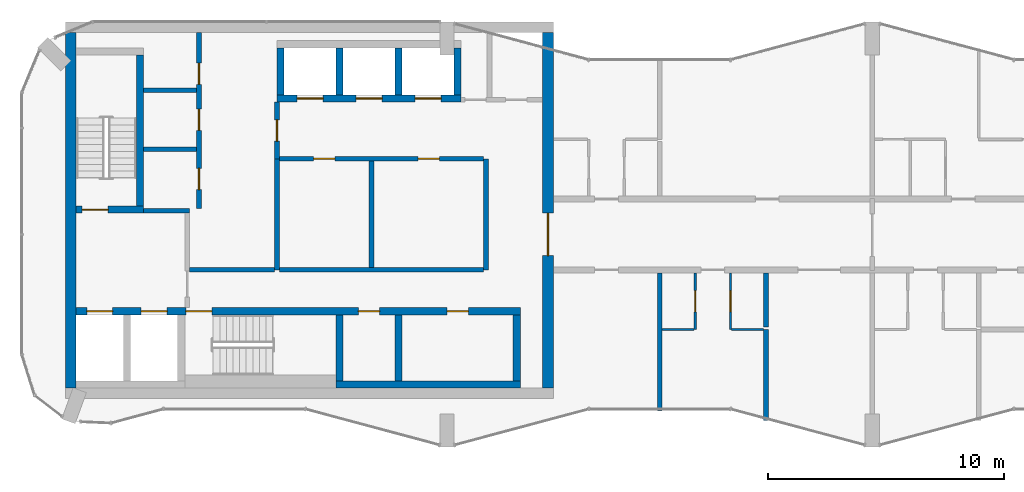
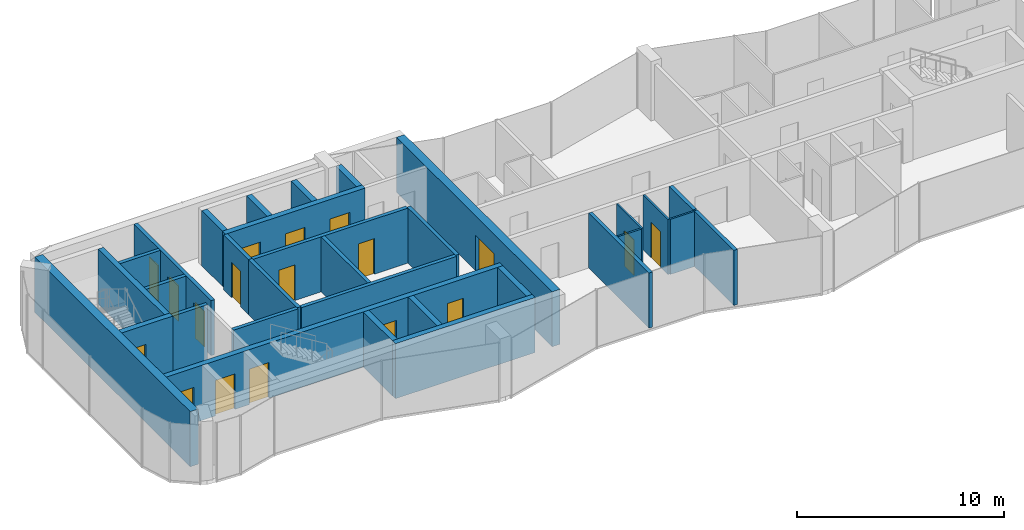
# One storey, part 7 of 10: 32 walls, 18 doors, 18 openings.
"""IFC4 building model written with IfcOpenShell, lengths in metres."""

from ifc_helpers import new_model, si_unit, direction, frame, frame_2d, origin, place, context, subcontext, project, spatial, rectangle, extrude, material, layer, layer_set, type_object, element, fill, save


model = new_model("IFC4")

# Units and contexts
model_context = context("Model", 3, precision=1e-05, world=origin(), true_north=direction((0.0, 1.0)))
body_context = subcontext(model_context, "Body", "Model", "MODEL_VIEW")
ifc_project = project(units=[si_unit("LENGTHUNIT", "METRE"), si_unit("AREAUNIT", "SQUARE_METRE"), si_unit("VOLUMEUNIT", "CUBIC_METRE"), si_unit("PLANEANGLEUNIT", "RADIAN"), si_unit("MASSUNIT", "GRAM", prefix="KILO")], contexts=[model_context])

# Site, building, storey
site_placement = place(None, origin())
site = spatial("IfcSite", under=ifc_project, at=site_placement, CompositionType="ELEMENT")
building_placement = place(site_placement, origin())
building = spatial("IfcBuilding", under=site, at=building_placement, Name="Plateau Cross Towers", CompositionType="ELEMENT")
storey_placement = place(building_placement, frame((0.0, 0.0, 266.89990234375)))
storey = spatial("IfcBuildingStorey", under=building, at=storey_placement, Name="L70", CompositionType="ELEMENT", Elevation=266.89990234375)

# Walls
ifc_material_1 = material(Name="Concrete block, plastered both sides", Category="concrete")
ifc_layer_1 = layer(ifc_material_1, 0.199951171875)
ifc_layer_set_1 = layer_set([ifc_layer_1], Name="Concrete block, plastered both sides")
wall_type_1 = type_object("IfcWallType", Name="Core partition 200", PredefinedType="PARTITIONING", material=ifc_layer_set_1)
wall_1_placement = place(storey_placement, frame((5.14990234375, 10.0, 0.0), z_axis=(0.0, 0.0, 1.0), x_axis=(1.0, 0.0, 0.0)))
element("IfcWall", 1, at=wall_1_placement, inside=storey, type_object=wall_type_1, Name="Core partition", PredefinedType="PARTITIONING", context=body_context, shape_type="SweptSolid", body=[
    extrude(rectangle(XDim=1.9501953125, YDim=0.199951171875, at=frame_2d((0.97509765625, 0.0))), origin(), (0.0, 0.0, 1.0), 3.25),
])
wall_2_placement = place(storey_placement, frame((7.10009765625, 7.5, 0.0), z_axis=(0.0, 0.0, 1.0), x_axis=(1.0, 0.0, 0.0)))
element("IfcWall", 2, at=wall_2_placement, inside=storey, type_object=wall_type_1, Name="Core partition", PredefinedType="PARTITIONING", context=body_context, shape_type="SweptSolid", body=[
    extrude(rectangle(XDim=3.599853515625, YDim=0.199951171875, at=frame_2d((1.7998046875, 0.0))), origin(), (0.0, 0.0, 1.0), 3.25),
])

# Wall, opening, door
wall_3_placement = place(storey_placement, frame((10.800048828125, 12.199951171875, 0.0), z_axis=(0.0, 0.0, 1.0), x_axis=(0.0, 1.0, 0.0)))
wall_3 = element("IfcWall", 3, at=wall_3_placement, inside=storey, type_object=wall_type_1, Name="Core partition", PredefinedType="PARTITIONING", context=body_context, shape_type="SweptSolid", body=[
    extrude(rectangle(XDim=2.400146484375, YDim=0.199951171875, at=frame_2d((1.2001953125, 0.0))), origin(), (0.0, 0.0, 1.0), 3.25),
])
opening_1_placement = place(wall_3_placement, frame((0.75, 0.0, 0.0)))
opening_1 = element("IfcOpeningElement", 4, at=opening_1_placement, cuts=wall_3, Name="Opening RD1", PredefinedType="OPENING", context=body_context, shape_type="SweptSolid", body=[
    extrude(rectangle(XDim=0.89990234375, YDim=2.10009765625, at=frame_2d((0.449951171875, 1.050048828125))), frame((0.0, 0.10986328125, 0.0), z_axis=(0.0, -1.0, 0.0), x_axis=(1.0, 0.0, 0.0)), (0.0, 0.0, 1.0), 0.219970703125),
])
ifc_material_2 = material(Name="Timber, fire-resisting leaf", Category="wood")
door_type_1 = type_object("IfcDoorType", Name="Core service door 900", OperationType="NOTDEFINED", PredefinedType="DOOR", material=ifc_material_2)
door_1_placement = place(opening_1_placement, origin())
door_1 = element("IfcDoor", 5, at=door_1_placement, inside=storey, type_object=door_type_1, Name="Core service door RD1", OperationType="SINGLE_SWING_LEFT", OverallHeight=2.10009765625, OverallWidth=0.89990234375, PredefinedType="DOOR", context=body_context, shape_type="SweptSolid", body=[
    extrude(rectangle(XDim=0.89990234375, YDim=2.10009765625, at=frame_2d((0.449951171875, 1.050048828125))), frame((0.0, 0.02490234375, 0.0), z_axis=(0.0, -1.0, 0.0), x_axis=(1.0, 0.0, 0.0)), (0.0, 0.0, 1.0), 0.050048828125),
])
fill(opening_1, door_1)

# Walls
wall_4_placement = place(storey_placement, frame((10.800048828125, 7.5, 0.0), z_axis=(0.0, 0.0, 1.0), x_axis=(0.0, 1.0, 0.0)))
element("IfcWall", 6, at=wall_4_placement, inside=storey, type_object=wall_type_1, Name="Core partition", PredefinedType="PARTITIONING", context=body_context, shape_type="SweptSolid", body=[
    extrude(rectangle(XDim=4.699951171875, YDim=0.199951171875, at=frame_2d((2.35009765625, 0.0))), origin(), (0.0, 0.0, 1.0), 3.25),
])
wall_5_placement = place(storey_placement, frame((10.89990234375, 7.5, 0.0), z_axis=(0.0, 0.0, 1.0), x_axis=(1.0, 0.0, 0.0)))
element("IfcWall", 7, at=wall_5_placement, inside=storey, type_object=wall_type_1, Name="Core partition", PredefinedType="PARTITIONING", context=body_context, shape_type="SweptSolid", body=[
    extrude(rectangle(XDim=8.650146484375, YDim=0.199951171875, at=frame_2d((4.3251953125, 0.0))), origin(), (0.0, 0.0, 1.0), 3.25),
])
wall_6_placement = place(storey_placement, frame((19.64990234375, 7.5, 0.0), z_axis=(0.0, 0.0, 1.0), x_axis=(0.0, 1.0, 0.0)))
element("IfcWall", 8, at=wall_6_placement, inside=storey, type_object=wall_type_1, Name="Core partition", PredefinedType="PARTITIONING", context=body_context, shape_type="SweptSolid", body=[
    extrude(rectangle(XDim=4.699951171875, YDim=0.199951171875, at=frame_2d((2.35009765625, 0.0))), origin(), (0.0, 0.0, 1.0), 3.25),
])

# Wall, openings, doors
wall_7_placement = place(storey_placement, frame((10.89990234375, 12.199951171875, 0.0), z_axis=(0.0, 0.0, 1.0), x_axis=(1.0, 0.0, 0.0)))
wall_7 = element("IfcWall", 9, at=wall_7_placement, inside=storey, type_object=wall_type_1, Name="Core partition", PredefinedType="PARTITIONING", context=body_context, shape_type="SweptSolid", body=[
    extrude(rectangle(XDim=8.650146484375, YDim=0.199951171875, at=frame_2d((4.3251953125, 0.0))), origin(), (0.0, 0.0, 1.0), 3.25),
])
opening_2_placement = place(wall_7_placement, frame((1.449951171875, 0.0, 0.0)))
opening_2 = element("IfcOpeningElement", 10, at=opening_2_placement, cuts=wall_7, Name="Opening RD1", PredefinedType="OPENING", context=body_context, shape_type="SweptSolid", body=[
    extrude(rectangle(XDim=0.89990234375, YDim=2.10009765625, at=frame_2d((0.449951171875, 1.050048828125))), frame((0.0, 0.10986328125, 0.0), z_axis=(0.0, -1.0, 0.0), x_axis=(1.0, 0.0, 0.0)), (0.0, 0.0, 1.0), 0.219970703125),
])
opening_3_placement = place(wall_7_placement, frame((5.875, 0.0, 0.0)))
opening_3 = element("IfcOpeningElement", 11, at=opening_3_placement, cuts=wall_7, Name="Opening RD1", PredefinedType="OPENING", context=body_context, shape_type="SweptSolid", body=[
    extrude(rectangle(XDim=0.89990234375, YDim=2.10009765625, at=frame_2d((0.449951171875, 1.050048828125))), frame((0.0, 0.10986328125, 0.0), z_axis=(0.0, -1.0, 0.0), x_axis=(1.0, 0.0, 0.0)), (0.0, 0.0, 1.0), 0.219970703125),
])
door_2_placement = place(opening_2_placement, origin())
door_2 = element("IfcDoor", 12, at=door_2_placement, inside=storey, type_object=door_type_1, Name="Core service door RD1", OperationType="SINGLE_SWING_LEFT", OverallHeight=2.10009765625, OverallWidth=0.89990234375, PredefinedType="DOOR", context=body_context, shape_type="SweptSolid", body=[
    extrude(rectangle(XDim=0.89990234375, YDim=2.10009765625, at=frame_2d((0.449951171875, 1.050048828125))), frame((0.0, 0.02490234375, 0.0), z_axis=(0.0, -1.0, 0.0), x_axis=(1.0, 0.0, 0.0)), (0.0, 0.0, 1.0), 0.050048828125),
])
fill(opening_2, door_2)
door_3_placement = place(opening_3_placement, origin())
door_3 = element("IfcDoor", 13, at=door_3_placement, inside=storey, type_object=door_type_1, Name="Core service door RD1", OperationType="SINGLE_SWING_LEFT", OverallHeight=2.10009765625, OverallWidth=0.89990234375, PredefinedType="DOOR", context=body_context, shape_type="SweptSolid", body=[
    extrude(rectangle(XDim=0.89990234375, YDim=2.10009765625, at=frame_2d((0.449951171875, 1.050048828125))), frame((0.0, 0.02490234375, 0.0), z_axis=(0.0, -1.0, 0.0), x_axis=(1.0, 0.0, 0.0)), (0.0, 0.0, 1.0), 0.050048828125),
])
fill(opening_3, door_3)

# Wall
wall_8_placement = place(storey_placement, frame((14.800048828125, 7.60009765625, 0.0), z_axis=(0.0, 0.0, 1.0), x_axis=(0.0, 1.0, 0.0)))
element("IfcWall", 14, at=wall_8_placement, inside=storey, type_object=wall_type_1, Name="Core partition", PredefinedType="PARTITIONING", context=body_context, shape_type="SweptSolid", body=[
    extrude(rectangle(XDim=4.5, YDim=0.199951171875, at=frame_2d((2.25, 0.0))), origin(), (0.0, 0.0, 1.0), 3.25),
])

# Wall, openings, doors
wall_9_placement = place(storey_placement, frame((7.5, 10.10009765625, 0.0), z_axis=(0.0, 0.0, 1.0), x_axis=(0.0, 1.0, 0.0)))
wall_9 = element("IfcWall", 15, at=wall_9_placement, inside=storey, type_object=wall_type_1, Name="Core partition", PredefinedType="PARTITIONING", context=body_context, shape_type="SweptSolid", body=[
    extrude(rectangle(XDim=7.449951171875, YDim=0.199951171875, at=frame_2d((3.72509765625, 0.0))), origin(), (0.0, 0.0, 1.0), 3.25),
])
opening_4_placement = place(wall_9_placement, frame((0.800048828125, 0.0, 0.0)))
opening_4 = element("IfcOpeningElement", 16, at=opening_4_placement, cuts=wall_9, Name="Opening RD1", PredefinedType="OPENING", context=body_context, shape_type="SweptSolid", body=[
    extrude(rectangle(XDim=0.89990234375, YDim=2.10009765625, at=frame_2d((0.449951171875, 1.050048828125))), frame((0.0, 0.10986328125, 0.0), z_axis=(0.0, -1.0, 0.0), x_axis=(1.0, 0.0, 0.0)), (0.0, 0.0, 1.0), 0.219970703125),
])
opening_5_placement = place(wall_9_placement, frame((3.300048828125, 0.0, 0.0)))
opening_5 = element("IfcOpeningElement", 17, at=opening_5_placement, cuts=wall_9, Name="Opening RD1", PredefinedType="OPENING", context=body_context, shape_type="SweptSolid", body=[
    extrude(rectangle(XDim=0.89990234375, YDim=2.10009765625, at=frame_2d((0.449951171875, 1.050048828125))), frame((0.0, 0.10986328125, 0.0), z_axis=(0.0, -1.0, 0.0), x_axis=(1.0, 0.0, 0.0)), (0.0, 0.0, 1.0), 0.219970703125),
])
opening_6_placement = place(wall_9_placement, frame((5.25, 0.0, 0.0)))
opening_6 = element("IfcOpeningElement", 18, at=opening_6_placement, cuts=wall_9, Name="Opening RD1", PredefinedType="OPENING", context=body_context, shape_type="SweptSolid", body=[
    extrude(rectangle(XDim=0.89990234375, YDim=2.10009765625, at=frame_2d((0.449951171875, 1.050048828125))), frame((0.0, 0.10986328125, 0.0), z_axis=(0.0, -1.0, 0.0), x_axis=(1.0, 0.0, 0.0)), (0.0, 0.0, 1.0), 0.219970703125),
])
door_4_placement = place(opening_4_placement, origin())
door_4 = element("IfcDoor", 19, at=door_4_placement, inside=storey, type_object=door_type_1, Name="Core service door RD1", OperationType="SINGLE_SWING_RIGHT", OverallHeight=2.10009765625, OverallWidth=0.89990234375, PredefinedType="DOOR", context=body_context, shape_type="SweptSolid", body=[
    extrude(rectangle(XDim=0.89990234375, YDim=2.10009765625, at=frame_2d((0.449951171875, 1.050048828125))), frame((0.0, 0.02490234375, 0.0), z_axis=(0.0, -1.0, 0.0), x_axis=(1.0, 0.0, 0.0)), (0.0, 0.0, 1.0), 0.050048828125),
])
fill(opening_4, door_4)
door_5_placement = place(opening_5_placement, origin())
door_5 = element("IfcDoor", 20, at=door_5_placement, inside=storey, type_object=door_type_1, Name="Core service door RD1", OperationType="SINGLE_SWING_RIGHT", OverallHeight=2.10009765625, OverallWidth=0.89990234375, PredefinedType="DOOR", context=body_context, shape_type="SweptSolid", body=[
    extrude(rectangle(XDim=0.89990234375, YDim=2.10009765625, at=frame_2d((0.449951171875, 1.050048828125))), frame((0.0, 0.02490234375, 0.0), z_axis=(0.0, -1.0, 0.0), x_axis=(1.0, 0.0, 0.0)), (0.0, 0.0, 1.0), 0.050048828125),
])
fill(opening_5, door_5)
door_6_placement = place(opening_6_placement, origin())
door_6 = element("IfcDoor", 21, at=door_6_placement, inside=storey, type_object=door_type_1, Name="Core service door RD1", OperationType="SINGLE_SWING_RIGHT", OverallHeight=2.10009765625, OverallWidth=0.89990234375, PredefinedType="DOOR", context=body_context, shape_type="SweptSolid", body=[
    extrude(rectangle(XDim=0.89990234375, YDim=2.10009765625, at=frame_2d((0.449951171875, 1.050048828125))), frame((0.0, 0.02490234375, 0.0), z_axis=(0.0, -1.0, 0.0), x_axis=(1.0, 0.0, 0.0)), (0.0, 0.0, 1.0), 0.050048828125),
])
fill(opening_6, door_6)

# Walls
for number, where, z_axis, x_axis, name in (
    (22, (5.14990234375, 12.60009765625, 0.0), (0.0, 0.0, 1.0), (1.0, 0.0, 0.0), "Core partition"),
    (23, (5.14990234375, 15.10009765625, 0.0), (0.0, 0.0, 1.0), (1.0, 0.0, 0.0), "Core partition"),
):
    element("IfcWall", number, at=place(storey_placement, frame(where, z_axis=z_axis, x_axis=x_axis)), inside=storey, type_object=wall_type_1, Name=name, PredefinedType="PARTITIONING", context=body_context, shape_type="SweptSolid", body=[
        extrude(rectangle(XDim=2.25, YDim=0.199951171875, at=frame_2d((1.125, 0.0))), origin(), (0.0, 0.0, 1.0), 3.25),
    ])
ifc_material_3 = material(Name="Concrete C60/75", Category="concrete")
ifc_layer_2 = layer(ifc_material_3, 0.300048828125)
ifc_layer_set_2 = layer_set([ifc_layer_2], Name="Concrete C60/75")
wall_type_2 = type_object("IfcWallType", Name="Core shaft wall 300", PredefinedType="SHEAR", material=ifc_layer_set_2)
wall_10_placement = place(storey_placement, frame((13.300048828125, 2.64990234375, 0.0), z_axis=(0.0, 0.0, 1.0), x_axis=(1.0, 0.0, 0.0)))
element("IfcWall", 24, at=wall_10_placement, inside=storey, type_object=wall_type_2, Name="A-sb-back3@L70", PredefinedType="SHEAR", context=body_context, shape_type="SweptSolid", body=[
    extrude(rectangle(XDim=7.800048828125, YDim=0.300048828125, at=frame_2d((3.89990234375, 0.0))), origin(), (0.0, 0.0, 1.0), 3.25),
])
for number, where, z_axis, x_axis, name in (
    (25, (13.449951171875, 2.800048828125, 0.0), (0.0, 0.0, 1.0), (0.0, 1.0, 0.0), "A-sb-v3@L70"),
    (26, (15.949951171875, 2.800048828125, 0.0), (0.0, 0.0, 1.0), (0.0, 1.0, 0.0), "A-sb-v4@L70"),
    (27, (20.949951171875, 2.800048828125, 0.0), (0.0, 0.0, 1.0), (0.0, 1.0, 0.0), "A-sb-v6@L70"),
):
    element("IfcWall", number, at=place(storey_placement, frame(where, z_axis=z_axis, x_axis=x_axis)), inside=storey, type_object=wall_type_2, Name=name, PredefinedType="SHEAR", context=body_context, shape_type="SweptSolid", body=[
        extrude(rectangle(XDim=2.800048828125, YDim=0.300048828125, at=frame_2d((1.39990234375, 0.0))), origin(), (0.0, 0.0, 1.0), 3.25),
    ])

# Wall, openings, doors
wall_11_placement = place(storey_placement, frame((2.300048828125, 5.75, 0.0), z_axis=(0.0, 0.0, 1.0), x_axis=(1.0, 0.0, 0.0)))
wall_11 = element("IfcWall", 28, at=wall_11_placement, inside=storey, type_object=wall_type_2, Name="A-sb-front@L70", PredefinedType="SHEAR", context=body_context, shape_type="SweptSolid", body=[
    extrude(rectangle(XDim=18.800048828125, YDim=0.300048828125, at=frame_2d((9.39990234375, 0.0))), origin(), (0.0, 0.0, 1.0), 3.25),
])
opening_7_placement = place(wall_11_placement, frame((4.64990234375, 0.0, 0.0)))
opening_7 = element("IfcOpeningElement", 29, at=opening_7_placement, cuts=wall_11, Name="Opening SD", PredefinedType="OPENING", context=body_context, shape_type="SweptSolid", body=[
    extrude(rectangle(XDim=1.10009765625, YDim=2.10009765625, at=frame_2d((0.550048828125, 1.050048828125))), frame((0.0, 0.159912109375, 0.0), z_axis=(0.0, -1.0, 0.0), x_axis=(1.0, 0.0, 0.0)), (0.0, 0.0, 1.0), 0.320068359375),
])
opening_8_placement = place(wall_11_placement, frame((0.449951171875, 0.0, 0.0)))
opening_8 = element("IfcOpeningElement", 30, at=opening_8_placement, cuts=wall_11, Name="Opening LD", PredefinedType="OPENING", context=body_context, shape_type="SweptSolid", body=[
    extrude(rectangle(XDim=1.10009765625, YDim=2.10009765625, at=frame_2d((0.550048828125, 1.050048828125))), frame((0.0, 0.159912109375, 0.0), z_axis=(0.0, -1.0, 0.0), x_axis=(1.0, 0.0, 0.0)), (0.0, 0.0, 1.0), 0.320068359375),
])
opening_9_placement = place(wall_11_placement, frame((2.75, 0.0, 0.0)))
opening_9 = element("IfcOpeningElement", 31, at=opening_9_placement, cuts=wall_11, Name="Opening LD", PredefinedType="OPENING", context=body_context, shape_type="SweptSolid", body=[
    extrude(rectangle(XDim=1.10009765625, YDim=2.10009765625, at=frame_2d((0.550048828125, 1.050048828125))), frame((0.0, 0.159912109375, 0.0), z_axis=(0.0, -1.0, 0.0), x_axis=(1.0, 0.0, 0.0)), (0.0, 0.0, 1.0), 0.320068359375),
])
opening_10_placement = place(wall_11_placement, frame((11.949951171875, 0.0, 0.0)))
opening_10 = element("IfcOpeningElement", 32, at=opening_10_placement, cuts=wall_11, Name="Opening RD2", PredefinedType="OPENING", context=body_context, shape_type="SweptSolid", body=[
    extrude(rectangle(XDim=0.89990234375, YDim=2.10009765625, at=frame_2d((0.449951171875, 1.050048828125))), frame((0.0, 0.159912109375, 0.0), z_axis=(0.0, -1.0, 0.0), x_axis=(1.0, 0.0, 0.0)), (0.0, 0.0, 1.0), 0.320068359375),
])
opening_11_placement = place(wall_11_placement, frame((15.699951171875, 0.0, 0.0)))
opening_11 = element("IfcOpeningElement", 33, at=opening_11_placement, cuts=wall_11, Name="Opening RD2", PredefinedType="OPENING", context=body_context, shape_type="SweptSolid", body=[
    extrude(rectangle(XDim=0.89990234375, YDim=2.10009765625, at=frame_2d((0.449951171875, 1.050048828125))), frame((0.0, 0.159912109375, 0.0), z_axis=(0.0, -1.0, 0.0), x_axis=(1.0, 0.0, 0.0)), (0.0, 0.0, 1.0), 0.320068359375),
])
ifc_material_4 = material(Name="Steel, fire-resisting leaf", Category="steel")
door_type_2 = type_object("IfcDoorType", Name="Core riser door 900", OperationType="NOTDEFINED", PredefinedType="DOOR", material=ifc_material_4)
door_7_placement = place(opening_10_placement, origin())
door_7 = element("IfcDoor", 34, at=door_7_placement, inside=storey, type_object=door_type_2, Name="Core riser door RD2", OperationType="SINGLE_SWING_LEFT", OverallHeight=2.10009765625, OverallWidth=0.89990234375, PredefinedType="DOOR", context=body_context, shape_type="SweptSolid", body=[
    extrude(rectangle(XDim=0.89990234375, YDim=2.10009765625, at=frame_2d((0.449951171875, 1.050048828125))), frame((0.0, 0.02490234375, 0.0), z_axis=(0.0, -1.0, 0.0), x_axis=(1.0, 0.0, 0.0)), (0.0, 0.0, 1.0), 0.050048828125),
])
fill(opening_10, door_7)
door_8_placement = place(opening_11_placement, origin())
door_8 = element("IfcDoor", 35, at=door_8_placement, inside=storey, type_object=door_type_2, Name="Core riser door RD2", OperationType="SINGLE_SWING_LEFT", OverallHeight=2.10009765625, OverallWidth=0.89990234375, PredefinedType="DOOR", context=body_context, shape_type="SweptSolid", body=[
    extrude(rectangle(XDim=0.89990234375, YDim=2.10009765625, at=frame_2d((0.449951171875, 1.050048828125))), frame((0.0, 0.02490234375, 0.0), z_axis=(0.0, -1.0, 0.0), x_axis=(1.0, 0.0, 0.0)), (0.0, 0.0, 1.0), 0.050048828125),
])
fill(opening_11, door_8)
ifc_material_5 = material(Name="Stainless steel, fire-resisting sliding leaves", Category="steel")
door_type_3 = type_object("IfcDoorType", Name="Lift landing door 1100", OperationType="NOTDEFINED", PredefinedType="DOOR", material=ifc_material_5)
door_9_placement = place(opening_8_placement, origin())
door_9 = element("IfcDoor", 36, at=door_9_placement, inside=storey, type_object=door_type_3, Name="Lift landing door LD", OperationType="DOUBLE_DOOR_SLIDING", OverallHeight=2.10009765625, OverallWidth=1.10009765625, PredefinedType="DOOR", context=body_context, shape_type="SweptSolid", body=[
    extrude(rectangle(XDim=1.10009765625, YDim=2.10009765625, at=frame_2d((0.550048828125, 1.050048828125))), frame((0.0, 0.02490234375, 0.0), z_axis=(0.0, -1.0, 0.0), x_axis=(1.0, 0.0, 0.0)), (0.0, 0.0, 1.0), 0.050048828125),
])
fill(opening_8, door_9)
door_10_placement = place(opening_9_placement, origin())
door_10 = element("IfcDoor", 37, at=door_10_placement, inside=storey, type_object=door_type_3, Name="Lift landing door LD", OperationType="DOUBLE_DOOR_SLIDING", OverallHeight=2.10009765625, OverallWidth=1.10009765625, PredefinedType="DOOR", context=body_context, shape_type="SweptSolid", body=[
    extrude(rectangle(XDim=1.10009765625, YDim=2.10009765625, at=frame_2d((0.550048828125, 1.050048828125))), frame((0.0, 0.02490234375, 0.0), z_axis=(0.0, -1.0, 0.0), x_axis=(1.0, 0.0, 0.0)), (0.0, 0.0, 1.0), 0.050048828125),
])
fill(opening_9, door_10)
door_type_4 = type_object("IfcDoorType", Name="Stair door 1100", OperationType="NOTDEFINED", PredefinedType="DOOR", material=ifc_material_4)
door_11_placement = place(opening_7_placement, origin())
door_11 = element("IfcDoor", 38, at=door_11_placement, inside=storey, type_object=door_type_4, Name="Stair door SD", OperationType="SINGLE_SWING_LEFT", OverallHeight=2.10009765625, OverallWidth=1.10009765625, PredefinedType="DOOR", context=body_context, shape_type="SweptSolid", body=[
    extrude(rectangle(XDim=1.10009765625, YDim=2.10009765625, at=frame_2d((0.550048828125, 1.050048828125))), frame((0.0, 0.02490234375, 0.0), z_axis=(0.0, -1.0, 0.0), x_axis=(1.0, 0.0, 0.0)), (0.0, 0.0, 1.0), 0.050048828125),
])
fill(opening_7, door_11)

# Wall, opening, door
wall_12_placement = place(storey_placement, frame((2.300048828125, 10.050048828125, 0.0), z_axis=(0.0, 0.0, 1.0), x_axis=(1.0, 0.0, 0.0)))
wall_12 = element("IfcWall", 39, at=wall_12_placement, inside=storey, type_object=wall_type_2, Name="A-st1-S@L70", PredefinedType="SHEAR", context=body_context, shape_type="SweptSolid", body=[
    extrude(rectangle(XDim=2.849853515625, YDim=0.300048828125, at=frame_2d((1.4248046875, 0.0))), origin(), (0.0, 0.0, 1.0), 3.25),
])
opening_12_placement = place(wall_12_placement, frame((0.25, 0.0, 0.0)))
opening_12 = element("IfcOpeningElement", 40, at=opening_12_placement, cuts=wall_12, Name="Opening SD", PredefinedType="OPENING", context=body_context, shape_type="SweptSolid", body=[
    extrude(rectangle(XDim=1.10009765625, YDim=2.10009765625, at=frame_2d((0.550048828125, 1.050048828125))), frame((0.0, 0.159912109375, 0.0), z_axis=(0.0, -1.0, 0.0), x_axis=(1.0, 0.0, 0.0)), (0.0, 0.0, 1.0), 0.320068359375),
])
door_12_placement = place(opening_12_placement, origin())
door_12 = element("IfcDoor", 41, at=door_12_placement, inside=storey, type_object=door_type_4, Name="Stair door SD", OperationType="SINGLE_SWING_RIGHT", OverallHeight=2.10009765625, OverallWidth=1.10009765625, PredefinedType="DOOR", context=body_context, shape_type="SweptSolid", body=[
    extrude(rectangle(XDim=1.10009765625, YDim=2.10009765625, at=frame_2d((0.550048828125, 1.050048828125))), frame((0.0, 0.02490234375, 0.0), z_axis=(0.0, -1.0, 0.0), x_axis=(1.0, 0.0, 0.0)), (0.0, 0.0, 1.0), 0.050048828125),
])
fill(opening_12, door_12)

# Wall
wall_13_placement = place(storey_placement, frame((5.0, 10.199951171875, 0.0), z_axis=(0.0, 0.0, 1.0), x_axis=(0.0, 1.0, 0.0)))
element("IfcWall", 42, at=wall_13_placement, inside=storey, type_object=wall_type_2, Name="A-st1-E@L70", PredefinedType="SHEAR", context=body_context, shape_type="SweptSolid", body=[
    extrude(rectangle(XDim=6.400146484375, YDim=0.300048828125, at=frame_2d((3.2001953125, 0.0))), origin(), (0.0, 0.0, 1.0), 3.25),
])

# Wall, openings, doors
wall_14_placement = place(storey_placement, frame((10.800048828125, 14.75, 0.0), z_axis=(0.0, 0.0, 1.0), x_axis=(1.0, 0.0, 0.0)))
wall_14 = element("IfcWall", 43, at=wall_14_placement, inside=storey, type_object=wall_type_2, Name="A-nb-front@L70", PredefinedType="SHEAR", context=body_context, shape_type="SweptSolid", body=[
    extrude(rectangle(XDim=7.800048828125, YDim=0.300048828125, at=frame_2d((3.89990234375, 0.0))), origin(), (0.0, 0.0, 1.0), 3.25),
])
opening_13_placement = place(wall_14_placement, frame((0.85009765625, 0.0, 0.0)))
opening_13 = element("IfcOpeningElement", 44, at=opening_13_placement, cuts=wall_14, Name="Opening LD", PredefinedType="OPENING", context=body_context, shape_type="SweptSolid", body=[
    extrude(rectangle(XDim=1.10009765625, YDim=2.10009765625, at=frame_2d((0.550048828125, 1.050048828125))), frame((0.0, 0.159912109375, 0.0), z_axis=(0.0, -1.0, 0.0), x_axis=(1.0, 0.0, 0.0)), (0.0, 0.0, 1.0), 0.320068359375),
])
opening_14_placement = place(wall_14_placement, frame((3.35009765625, 0.0, 0.0)))
opening_14 = element("IfcOpeningElement", 45, at=opening_14_placement, cuts=wall_14, Name="Opening LD", PredefinedType="OPENING", context=body_context, shape_type="SweptSolid", body=[
    extrude(rectangle(XDim=1.10009765625, YDim=2.10009765625, at=frame_2d((0.550048828125, 1.050048828125))), frame((0.0, 0.159912109375, 0.0), z_axis=(0.0, -1.0, 0.0), x_axis=(1.0, 0.0, 0.0)), (0.0, 0.0, 1.0), 0.320068359375),
])
opening_15_placement = place(wall_14_placement, frame((5.85009765625, 0.0, 0.0)))
opening_15 = element("IfcOpeningElement", 46, at=opening_15_placement, cuts=wall_14, Name="Opening LD", PredefinedType="OPENING", context=body_context, shape_type="SweptSolid", body=[
    extrude(rectangle(XDim=1.10009765625, YDim=2.10009765625, at=frame_2d((0.550048828125, 1.050048828125))), frame((0.0, 0.159912109375, 0.0), z_axis=(0.0, -1.0, 0.0), x_axis=(1.0, 0.0, 0.0)), (0.0, 0.0, 1.0), 0.320068359375),
])
door_13_placement = place(opening_13_placement, origin())
door_13 = element("IfcDoor", 47, at=door_13_placement, inside=storey, type_object=door_type_3, Name="Lift landing door LD", OperationType="DOUBLE_DOOR_SLIDING", OverallHeight=2.10009765625, OverallWidth=1.10009765625, PredefinedType="DOOR", context=body_context, shape_type="SweptSolid", body=[
    extrude(rectangle(XDim=1.10009765625, YDim=2.10009765625, at=frame_2d((0.550048828125, 1.050048828125))), frame((0.0, 0.02490234375, 0.0), z_axis=(0.0, -1.0, 0.0), x_axis=(1.0, 0.0, 0.0)), (0.0, 0.0, 1.0), 0.050048828125),
])
fill(opening_13, door_13)
door_14_placement = place(opening_14_placement, origin())
door_14 = element("IfcDoor", 48, at=door_14_placement, inside=storey, type_object=door_type_3, Name="Lift landing door LD", OperationType="DOUBLE_DOOR_SLIDING", OverallHeight=2.10009765625, OverallWidth=1.10009765625, PredefinedType="DOOR", context=body_context, shape_type="SweptSolid", body=[
    extrude(rectangle(XDim=1.10009765625, YDim=2.10009765625, at=frame_2d((0.550048828125, 1.050048828125))), frame((0.0, 0.02490234375, 0.0), z_axis=(0.0, -1.0, 0.0), x_axis=(1.0, 0.0, 0.0)), (0.0, 0.0, 1.0), 0.050048828125),
])
fill(opening_14, door_14)
door_15_placement = place(opening_15_placement, origin())
door_15 = element("IfcDoor", 49, at=door_15_placement, inside=storey, type_object=door_type_3, Name="Lift landing door LD", OperationType="DOUBLE_DOOR_SLIDING", OverallHeight=2.10009765625, OverallWidth=1.10009765625, PredefinedType="DOOR", context=body_context, shape_type="SweptSolid", body=[
    extrude(rectangle(XDim=1.10009765625, YDim=2.10009765625, at=frame_2d((0.550048828125, 1.050048828125))), frame((0.0, 0.02490234375, 0.0), z_axis=(0.0, -1.0, 0.0), x_axis=(1.0, 0.0, 0.0)), (0.0, 0.0, 1.0), 0.050048828125),
])
fill(opening_15, door_15)

# Walls
for number, where, z_axis, x_axis, name in (
    (50, (10.949951171875, 14.89990234375, 0.0), (0.0, 0.0, 1.0), (0.0, 1.0, 0.0), "A-nb-v1@L70"),
    (51, (13.449951171875, 14.89990234375, 0.0), (0.0, 0.0, 1.0), (0.0, 1.0, 0.0), "A-nb-v2@L70"),
    (52, (15.949951171875, 14.89990234375, 0.0), (0.0, 0.0, 1.0), (0.0, 1.0, 0.0), "A-nb-v3@L70"),
    (53, (18.449951171875, 14.89990234375, 0.0), (0.0, 0.0, 1.0), (0.0, 1.0, 0.0), "A-nb-v4@L70"),
):
    element("IfcWall", number, at=place(storey_placement, frame(where, z_axis=z_axis, x_axis=x_axis)), inside=storey, type_object=wall_type_2, Name=name, PredefinedType="SHEAR", context=body_context, shape_type="SweptSolid", body=[
        extrude(rectangle(XDim=2.0, YDim=0.300048828125, at=frame_2d((1.0, 0.0))), origin(), (0.0, 0.0, 1.0), 3.25),
    ])
ifc_layer_3 = layer(ifc_material_3, 0.449951171875)
ifc_layer_set_3 = layer_set([ifc_layer_3], Name="Concrete C60/75")
wall_type_3 = type_object("IfcWallType", Name="Core shell wall 450", PredefinedType="SHEAR", material=ifc_layer_set_3)
wall_15_placement = place(storey_placement, frame((2.074951171875, 2.5, 0.0), z_axis=(0.0, 0.0, 1.0), x_axis=(0.0, 1.0, 0.0)))
element("IfcWall", 54, at=wall_15_placement, inside=storey, type_object=wall_type_3, Name="A-core-W@L70", PredefinedType="SHEAR", context=body_context, shape_type="SweptSolid", body=[
    extrude(rectangle(XDim=15.050048828125, YDim=0.449951171875, at=frame_2d((7.52490234375, 0.0))), origin(), (0.0, 0.0, 1.0), 3.25),
])

# Wall, opening, door
wall_16_placement = place(storey_placement, frame((22.27490234375, 2.5, 0.0), z_axis=(0.0, 0.0, 1.0), x_axis=(0.0, 1.0, 0.0)))
wall_16 = element("IfcWall", 55, at=wall_16_placement, inside=storey, type_object=wall_type_3, Name="A-core-E@L70", PredefinedType="SHEAR", context=body_context, shape_type="SweptSolid", body=[
    extrude(rectangle(XDim=15.050048828125, YDim=0.449951171875, at=frame_2d((7.52490234375, 0.0))), origin(), (0.0, 0.0, 1.0), 3.25),
])
opening_16_placement = place(wall_16_placement, frame((5.60009765625, 0.0, 0.0)))
opening_16 = element("IfcOpeningElement", 56, at=opening_16_placement, cuts=wall_16, Name="Opening CD", PredefinedType="OPENING", context=body_context, shape_type="SweptSolid", body=[
    extrude(rectangle(XDim=1.800048828125, YDim=2.10009765625, at=frame_2d((0.89990234375, 1.050048828125))), frame((0.0, 0.23486328125, 0.0), z_axis=(0.0, -1.0, 0.0), x_axis=(1.0, 0.0, 0.0)), (0.0, 0.0, 1.0), 0.469970703125),
])
ifc_material_6 = material(Name="Steel, fire-resisting leaves", Category="steel")
door_type_5 = type_object("IfcDoorType", Name="Corridor door pair 1800", OperationType="NOTDEFINED", PredefinedType="DOOR", material=ifc_material_6)
door_16_placement = place(opening_16_placement, origin())
door_16 = element("IfcDoor", 57, at=door_16_placement, inside=storey, type_object=door_type_5, Name="Corridor door pair CD", OperationType="DOUBLE_DOOR_SINGLE_SWING", OverallHeight=2.10009765625, OverallWidth=1.800048828125, PredefinedType="DOOR", context=body_context, shape_type="SweptSolid", body=[
    extrude(rectangle(XDim=1.800048828125, YDim=2.10009765625, at=frame_2d((0.89990234375, 1.050048828125))), frame((0.0, 0.02490234375, 0.0), z_axis=(0.0, -1.0, 0.0), x_axis=(1.0, 0.0, 0.0)), (0.0, 0.0, 1.0), 0.050048828125),
])
fill(opening_16, door_16)

# Walls
ifc_material_7 = material(Name="Gypsum board on steel studs", Category="steel")
ifc_layer_4 = layer(ifc_material_7, 0.10009765625)
ifc_layer_set_4 = layer_set([ifc_layer_4], Name="Gypsum board on steel studs")
wall_type_4 = type_object("IfcWallType", Name="Flat partition 100", PredefinedType="PARTITIONING", material=ifc_layer_set_4)
for number, where, z_axis, x_axis, name in (
    (58, (27.10009765625, 4.97509765625, 0.0), (0.0, 0.0, 1.0), (1.0, 0.0, 0.0), "Partition wall"),
    (59, (30.050048828125, 4.97509765625, 0.0), (0.0, 0.0, 1.0), (1.0, 0.0, 0.0), "Partition wall"),
):
    element("IfcWall", number, at=place(storey_placement, frame(where, z_axis=z_axis, x_axis=x_axis)), inside=storey, type_object=wall_type_4, Name=name, PredefinedType="PARTITIONING", context=body_context, shape_type="SweptSolid", body=[
        extrude(rectangle(XDim=1.349853515625, YDim=0.10009765625, at=frame_2d((0.6748046875, 0.0))), origin(), (0.0, 0.0, 1.0), 3.25),
    ])

# Wall, opening, door
wall_17_placement = place(storey_placement, frame((28.5, 4.97509765625, 0.0), z_axis=(0.0, 0.0, 1.0), x_axis=(0.0, 1.0, 0.0)))
wall_17 = element("IfcWall", 60, at=wall_17_placement, inside=storey, type_object=wall_type_4, Name="Partition wall", PredefinedType="PARTITIONING", context=body_context, shape_type="SweptSolid", body=[
    extrude(rectangle(XDim=2.39990234375, YDim=0.10009765625, at=frame_2d((1.199951171875, 0.0))), origin(), (0.0, 0.0, 1.0), 3.25),
])
opening_17_placement = place(wall_17_placement, frame((0.75, 0.0, 0.0)))
opening_17 = element("IfcOpeningElement", 61, at=opening_17_placement, cuts=wall_17, Name="Opening 70-12", PredefinedType="OPENING", context=body_context, shape_type="SweptSolid", body=[
    extrude(rectangle(XDim=0.89990234375, YDim=2.10009765625, at=frame_2d((0.449951171875, 1.050048828125))), frame((0.0, 0.06005859375, 0.0), z_axis=(0.0, -1.0, 0.0), x_axis=(1.0, 0.0, 0.0)), (0.0, 0.0, 1.0), 0.1201171875),
])
ifc_material_8 = material(Name="Timber leaf", Category="wood")
door_type_6 = type_object("IfcDoorType", Name="Flat room door 900", OperationType="NOTDEFINED", PredefinedType="DOOR", material=ifc_material_8)
door_17_placement = place(opening_17_placement, origin())
door_17 = element("IfcDoor", 62, at=door_17_placement, inside=storey, type_object=door_type_6, Name="Door 70-12", OperationType="SINGLE_SWING_LEFT", OverallHeight=2.10009765625, OverallWidth=0.89990234375, PredefinedType="DOOR", context=body_context, shape_type="SweptSolid", body=[
    extrude(rectangle(XDim=0.89990234375, YDim=2.10009765625, at=frame_2d((0.449951171875, 1.050048828125))), frame((0.0, 0.02490234375, 0.0), z_axis=(0.0, -1.0, 0.0), x_axis=(1.0, 0.0, 0.0)), (0.0, 0.0, 1.0), 0.050048828125),
])
fill(opening_17, door_17)

wall_18_placement = place(storey_placement, frame((30.0, 7.375, 0.0), z_axis=(0.0, 0.0, 1.0), x_axis=(0.0, -1.0, 0.0)))
wall_18 = element("IfcWall", 63, at=wall_18_placement, inside=storey, type_object=wall_type_4, Name="Partition wall", PredefinedType="PARTITIONING", context=body_context, shape_type="SweptSolid", body=[
    extrude(rectangle(XDim=2.39990234375, YDim=0.10009765625, at=frame_2d((1.199951171875, 0.0))), origin(), (0.0, 0.0, 1.0), 3.25),
])
opening_18_placement = place(wall_18_placement, frame((0.75, 0.0, 0.0)))
opening_18 = element("IfcOpeningElement", 64, at=opening_18_placement, cuts=wall_18, Name="Opening 70-13", PredefinedType="OPENING", context=body_context, shape_type="SweptSolid", body=[
    extrude(rectangle(XDim=0.89990234375, YDim=2.10009765625, at=frame_2d((0.449951171875, 1.050048828125))), frame((0.0, 0.06005859375, 0.0), z_axis=(0.0, -1.0, 0.0), x_axis=(1.0, 0.0, 0.0)), (0.0, 0.0, 1.0), 0.1201171875),
])
door_18_placement = place(opening_18_placement, origin())
door_18 = element("IfcDoor", 65, at=door_18_placement, inside=storey, type_object=door_type_6, Name="Door 70-13", OperationType="SINGLE_SWING_LEFT", OverallHeight=2.10009765625, OverallWidth=0.89990234375, PredefinedType="DOOR", context=body_context, shape_type="SweptSolid", body=[
    extrude(rectangle(XDim=0.89990234375, YDim=2.10009765625, at=frame_2d((0.449951171875, 1.050048828125))), frame((0.0, 0.02490234375, 0.0), z_axis=(0.0, -1.0, 0.0), x_axis=(1.0, 0.0, 0.0)), (0.0, 0.0, 1.0), 0.050048828125),
])
fill(opening_18, door_18)

# Walls
ifc_material_9 = material(Name="Gypsum board on steel studs, two layers each side", Category="steel")
ifc_layer_5 = layer(ifc_material_9, 0.199951171875)
ifc_layer_set_5 = layer_set([ifc_layer_5], Name="Gypsum board on steel studs, two layers each side")
wall_type_5 = type_object("IfcWallType", Name="Flat party wall 200", PredefinedType="PARTITIONING", material=ifc_layer_set_5)
wall_19_placement = place(storey_placement, frame((27.0, 1.52685546875, 0.0), z_axis=(0.0, 0.0, 1.0), x_axis=(0.0, 1.0, 0.0)))
element("IfcWall", 66, at=wall_19_placement, inside=storey, type_object=wall_type_5, Name="Party wall", PredefinedType="PARTITIONING", context=body_context, shape_type="SweptSolid", body=[
    extrude(rectangle(XDim=5.84814453125, YDim=0.199951171875, at=frame_2d((2.924072265625, 0.0))), origin(), (0.0, 0.0, 1.0), 3.25),
])
wall_20_placement = place(storey_placement, frame((31.5, 4.97509765625, 0.0), z_axis=(0.0, 0.0, 1.0), x_axis=(0.0, -1.0, 0.0)))
element("IfcWall", 67, at=wall_20_placement, inside=storey, type_object=wall_type_5, Name="Party wall", PredefinedType="PARTITIONING", context=body_context, shape_type="SweptSolid", body=[
    extrude(rectangle(XDim=3.852783203125, YDim=0.199951171875, at=frame_2d((1.92626953125, 0.0))), origin(), (0.0, 0.0, 1.0), 3.25),
])
wall_21_placement = place(storey_placement, frame((31.5, 5.074951171875, 0.0), z_axis=(0.0, 0.0, 1.0), x_axis=(0.0, 1.0, 0.0)))
element("IfcWall", 68, at=wall_21_placement, inside=storey, type_object=wall_type_5, Name="Party wall", PredefinedType="PARTITIONING", context=body_context, shape_type="SweptSolid", body=[
    extrude(rectangle(XDim=2.300048828125, YDim=0.199951171875, at=frame_2d((1.14990234375, 0.0))), origin(), (0.0, 0.0, 1.0), 3.25),
])

save(model, "model.ifc")
